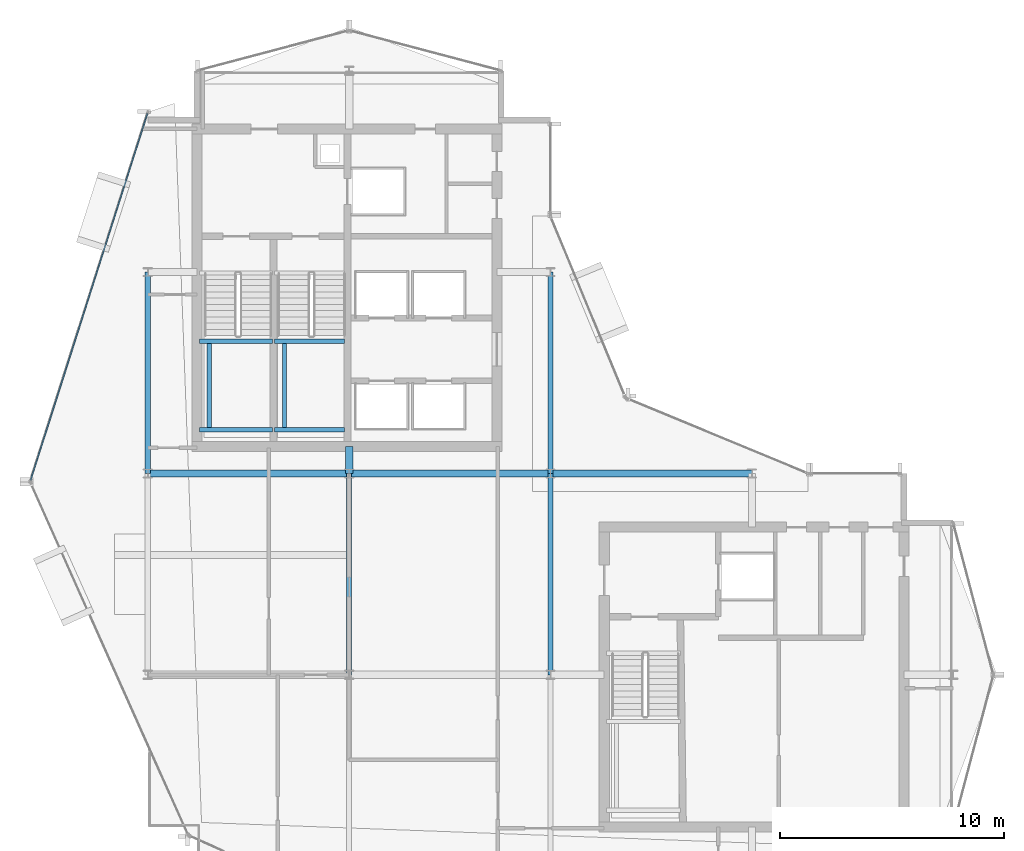
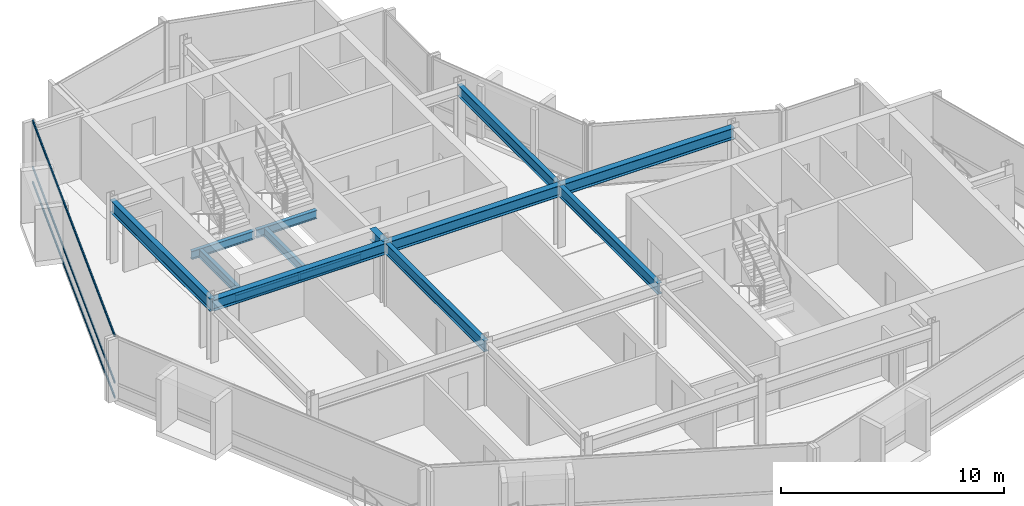
# One storey, part 7 of 19: 14 beams, 3 members, 1 element without a shape of its own.
"""IFC4 building model written with IfcOpenShell, lengths in metres."""

from ifc_helpers import new_model, si_unit, direction, frame, origin, origin_2d, place, context, subcontext, project, spatial, hollow_rectangle, i_section, extrude, material, layer, layer_set, material_profile, profile_set, type_object, element, aggregate, save


model = new_model("IFC4")

# Units and contexts
model_context = context("Model", 3, precision=1e-05, world=origin(), true_north=direction((0.0, 1.0)))
body_context = subcontext(model_context, "Body", "Model", "MODEL_VIEW")
ifc_project = project(units=[si_unit("LENGTHUNIT", "METRE"), si_unit("AREAUNIT", "SQUARE_METRE"), si_unit("VOLUMEUNIT", "CUBIC_METRE"), si_unit("PLANEANGLEUNIT", "RADIAN"), si_unit("MASSUNIT", "GRAM", prefix="KILO")], contexts=[model_context])

# Site, building, storey
site_placement = place(None, origin())
site = spatial("IfcSite", under=ifc_project, at=site_placement, CompositionType="ELEMENT")
building_placement = place(site_placement, origin())
building = spatial("IfcBuilding", under=site, at=building_placement, Name="Solvaryn Broadcast Tower", CompositionType="ELEMENT")
storey_placement = place(building_placement, frame((0.0, 0.0, 248.199951171875)))
storey = spatial("IfcBuildingStorey", under=building, at=storey_placement, Name="L62", CompositionType="ELEMENT", Elevation=248.199951171875)

# Beams
ifc_material_1 = material(Name="Steel ASTM A992 Grade 50", Category="steel")
ifc_material_profile_1 = material_profile(ifc_material_1, i_section(OverallWidth=0.323974609375, OverallDepth=0.611083984375, WebThickness=0.0126953125, FlangeThickness=0.01904296875, FilletRadius=0.014892578125, at=origin_2d()))
ifc_profile_set_1 = profile_set([ifc_material_profile_1], Name="Steel ASTM A992 Grade 50")
beam_type_1 = type_object("IfcBeamType", Name="BM-B1-W24X104", PredefinedType="BEAM", material=ifc_profile_set_1)
for number, where, z_axis, x_axis, name in (
    (1, (9.0, 27.0, 3.114501953125), (1.0, 0.0, 0.0), (0.0, 1.0, 0.0), "L62 Primary Beam X (9-18 @ Y=27)"),
    (2, (18.0, 27.0, 3.114501953125), (1.0, 0.0, 0.0), (0.0, 1.0, 0.0), "L62 Primary Beam X (18-27 @ Y=27)"),
    (3, (27.0, 27.0, 3.114501953125), (1.0, 0.0, 0.0), (0.0, 1.0, 0.0), "L62 Primary Beam X (27-36 @ Y=27)"),
):
    element("IfcBeam", number, at=place(storey_placement, frame(where, z_axis=z_axis, x_axis=x_axis)), inside=storey, type_object=beam_type_1, Name=name, PredefinedType="BEAM", context=body_context, shape_type="SweptSolid", body=[
        extrude(i_section(OverallWidth=0.323974609375, OverallDepth=0.611083984375, WebThickness=0.0126953125, FlangeThickness=0.01904296875, FilletRadius=0.014892578125, at=origin_2d()), origin(), (0.0, 0.0, 1.0), 9.0),
    ])
beam_1_placement = place(storey_placement, frame((18.0, 27.0, 3.114501953125), z_axis=(0.0, 1.0, 0.0), x_axis=(-1.0, 0.0, 0.0)))
element("IfcBeam", 4, at=beam_1_placement, inside=storey, type_object=beam_type_1, Name="L62 Core Tie Beam CTW4", PredefinedType="BEAM", context=body_context, shape_type="SweptSolid", body=[
    extrude(i_section(OverallWidth=0.323974609375, OverallDepth=0.611083984375, WebThickness=0.0126953125, FlangeThickness=0.01904296875, FilletRadius=0.014892578125, at=origin_2d()), origin(), (0.0, 0.0, 1.0), 1.199951171875),
])
ifc_material_2 = material(Name="Steel ASTM A992 Grade 50", Category="steel")
ifc_material_profile_2 = material_profile(ifc_material_2, i_section(OverallWidth=0.22802734375, OverallDepth=0.60791015625, WebThickness=0.01123046875, FlangeThickness=0.017333984375, FilletRadius=0.014892578125, at=origin_2d()))
ifc_profile_set_2 = profile_set([ifc_material_profile_2], Name="Steel ASTM A992 Grade 50")
beam_type_2 = type_object("IfcBeamType", Name="BM-B2-W24X76", PredefinedType="BEAM", material=ifc_profile_set_2)
for number, where, z_axis, x_axis, name in (
    (5, (18.0, 18.0, 3.115966796875), (0.0, 1.0, 0.0), (-1.0, 0.0, 0.0), "L62 Primary Beam Y (18-27 @ X=18)"),
    (6, (27.0, 18.0, 3.115966796875), (0.0, 1.0, 0.0), (-1.0, 0.0, 0.0), "L62 Primary Beam Y (18-27 @ X=27)"),
    (7, (27.0, 27.0, 3.115966796875), (0.0, 1.0, 0.0), (-1.0, 0.0, 0.0), "L62 Primary Beam Y (27-36 @ X=27)"),
):
    element("IfcBeam", number, at=place(storey_placement, frame(where, z_axis=z_axis, x_axis=x_axis)), inside=storey, type_object=beam_type_2, Name=name, PredefinedType="BEAM", context=body_context, shape_type="SweptSolid", body=[
        extrude(i_section(OverallWidth=0.22802734375, OverallDepth=0.60791015625, WebThickness=0.01123046875, FlangeThickness=0.017333984375, FilletRadius=0.014892578125, at=origin_2d()), origin(), (0.0, 0.0, 1.0), 9.0),
    ])
ifc_material_3 = material(Name="Steel ASTM A992 Grade 50", Category="steel")
ifc_material_profile_3 = material_profile(ifc_material_3, i_section(OverallWidth=0.18994140625, OverallDepth=0.45703125, WebThickness=0.009033203125, FlangeThickness=0.014404296875, FilletRadius=0.011962890625, at=origin_2d()))
ifc_profile_set_3 = profile_set([ifc_material_profile_3], Name="Steel ASTM A992 Grade 50")
beam_type_3 = type_object("IfcBeamType", Name="BM-B4-W18X50", PredefinedType="BEAM", material=ifc_profile_set_3)
for number, where, z_axis, x_axis, name in (
    (8, (11.300048828125, 28.949951171875, 1.421630859375), (1.0, 0.0, 0.0), (0.0, 1.0, 0.0), "L62 ST1 Landing Support Beam 1A"),
    (9, (11.300048828125, 32.909912109375, 1.421630859375), (1.0, 0.0, 0.0), (0.0, 1.0, 0.0), "L62 ST1 Landing Support Beam 1B"),
):
    element("IfcBeam", number, at=place(storey_placement, frame(where, z_axis=z_axis, x_axis=x_axis)), inside=storey, type_object=beam_type_3, Name=name, PredefinedType="BEAM", context=body_context, shape_type="SweptSolid", body=[
        extrude(i_section(OverallWidth=0.18994140625, OverallDepth=0.45703125, WebThickness=0.009033203125, FlangeThickness=0.014404296875, FilletRadius=0.011962890625, at=origin_2d()), origin(), (0.0, 0.0, 1.0), 3.280029296875),
    ])
beam_2_placement = place(storey_placement, frame((11.75, 28.949951171875, 1.421630859375), z_axis=(0.0, 1.0, 0.0), x_axis=(-1.0, 0.0, 0.0)))
element("IfcBeam", 10, at=beam_2_placement, inside=storey, type_object=beam_type_3, Name="L62 ST1 Landing Cross Stringer 1C", PredefinedType="BEAM", context=body_context, shape_type="SweptSolid", body=[
    extrude(i_section(OverallWidth=0.18994140625, OverallDepth=0.45703125, WebThickness=0.009033203125, FlangeThickness=0.014404296875, FilletRadius=0.011962890625, at=origin_2d()), origin(), (0.0, 0.0, 1.0), 3.9599609375),
])
for number, where, z_axis, x_axis, name in (
    (11, (14.659912109375, 28.949951171875, 1.421630859375), (1.0, 0.0, 0.0), (0.0, 1.0, 0.0), "L62 ST2 Landing Support Beam 1A"),
    (12, (14.659912109375, 32.909912109375, 1.421630859375), (1.0, 0.0, 0.0), (0.0, 1.0, 0.0), "L62 ST2 Landing Support Beam 1B"),
):
    element("IfcBeam", number, at=place(storey_placement, frame(where, z_axis=z_axis, x_axis=x_axis)), inside=storey, type_object=beam_type_3, Name=name, PredefinedType="BEAM", context=body_context, shape_type="SweptSolid", body=[
        extrude(i_section(OverallWidth=0.18994140625, OverallDepth=0.45703125, WebThickness=0.009033203125, FlangeThickness=0.014404296875, FilletRadius=0.011962890625, at=origin_2d()), origin(), (0.0, 0.0, 1.0), 3.14013671875),
    ])
beam_3_placement = place(storey_placement, frame((15.110107421875, 28.949951171875, 1.421630859375), z_axis=(0.0, 1.0, 0.0), x_axis=(-1.0, 0.0, 0.0)))
element("IfcBeam", 13, at=beam_3_placement, inside=storey, type_object=beam_type_3, Name="L62 ST2 Landing Cross Stringer 1C", PredefinedType="BEAM", context=body_context, shape_type="SweptSolid", body=[
    extrude(i_section(OverallWidth=0.18994140625, OverallDepth=0.45703125, WebThickness=0.009033203125, FlangeThickness=0.014404296875, FilletRadius=0.011962890625, at=origin_2d()), origin(), (0.0, 0.0, 1.0), 3.9599609375),
])
ifc_material_4 = material(Name="Steel ASTM A992 Grade 50", Category="steel")
ifc_material_profile_4 = material_profile(ifc_material_4, i_section(OverallWidth=0.256103515625, OverallDepth=0.693115234375, WebThickness=0.014404296875, FlangeThickness=0.023681640625, FilletRadius=0.01611328125, at=origin_2d()))
ifc_profile_set_4 = profile_set([ifc_material_profile_4], Name="Steel ASTM A992 Grade 50")
beam_type_4 = type_object("IfcBeamType", Name="BM-SP3-W27X114", PredefinedType="USERDEFINED", material=ifc_profile_set_4)
beam_4_placement = place(storey_placement, frame((9.0, 27.0, 3.073486328125), z_axis=(0.0, 1.0, 0.0), x_axis=(-1.0, 0.0, 0.0)))
element("IfcBeam", 14, at=beam_4_placement, inside=storey, type_object=beam_type_4, Name="L62 Spandrel Beam Y (27-36 @ X=9)", ObjectType="SPANDREL", PredefinedType="USERDEFINED", context=body_context, shape_type="SweptSolid", body=[
    extrude(i_section(OverallWidth=0.256103515625, OverallDepth=0.693115234375, WebThickness=0.014404296875, FlangeThickness=0.023681640625, FilletRadius=0.01611328125, at=origin_2d()), origin(), (0.0, 0.0, 1.0), 9.0),
])

# Curtain wall, members
ifc_material_5 = material(Name="Aluminium and Terracotta Unitised Curtain Wall", Category="masonry")
ifc_layer = layer(ifc_material_5, 0.199951171875)
ifc_layer_set = layer_set([ifc_layer], Name="CW-SYS2-LOWMID")
curtain_wall_type = type_object("IfcCurtainWallType", Name="CW-SYS2-LOWMID", PredefinedType="NOTDEFINED", material=ifc_layer_set)
curtain_wall_placement = place(storey_placement, origin())
curtain_wall = element("IfcCurtainWall", 15, at=curtain_wall_placement, inside=storey, type_object=curtain_wall_type, Name="L62 Curtain Wall DR1", PredefinedType="NOTDEFINED")
ifc_material_6 = material(Name="Anodised Aluminium 6063-T6", Category="aluminium")
ifc_material_profile_5 = material_profile(ifc_material_6, hollow_rectangle(XDim=0.06494140625, YDim=0.14990234375, WallThickness=0.00390625, InnerFilletRadius=0.00390625, OuterFilletRadius=0.008056640625, at=origin_2d()))
ifc_profile_set_5 = profile_set([ifc_material_profile_5], Name="Anodised Aluminium 6063-T6")
member_type = type_object("IfcMemberType", Name="CW-TRN-150", PredefinedType="USERDEFINED", material=ifc_profile_set_5)
member_1_placement = place(storey_placement, frame((8.981689453125, 43.091796875, 0.030029296875), z_axis=(-0.303616405252, -0.952794352661, 0.0), x_axis=(0.952794352661, -0.303616405252, 0.0)))
member_1 = element("IfcMember", 16, at=member_1_placement, type_object=member_type, Name="CWS2 transom 1.1", ObjectType="TRANSOM", PredefinedType="USERDEFINED", context=body_context, shape_type="SweptSolid", body=[
    extrude(hollow_rectangle(XDim=0.06494140625, YDim=0.14990234375, WallThickness=0.00390625, InnerFilletRadius=0.00390625, OuterFilletRadius=0.008056640625, at=origin_2d()), origin(), (0.0, 0.0, 1.0), 17.211181640625),
])
member_2_placement = place(storey_placement, frame((8.981689453125, 43.091796875, 0.85009765625), z_axis=(-0.303616405252, -0.952794352661, 0.0), x_axis=(0.952794352661, -0.303616405252, 0.0)))
member_2 = element("IfcMember", 17, at=member_2_placement, type_object=member_type, Name="CWS2 transom 1.2", ObjectType="TRANSOM", PredefinedType="USERDEFINED", context=body_context, shape_type="SweptSolid", body=[
    extrude(hollow_rectangle(XDim=0.06494140625, YDim=0.14990234375, WallThickness=0.00390625, InnerFilletRadius=0.00390625, OuterFilletRadius=0.008056640625, at=origin_2d()), origin(), (0.0, 0.0, 1.0), 17.211181640625),
])
member_3_placement = place(storey_placement, frame((8.981689453125, 43.091796875, 3.39013671875), z_axis=(-0.303616405252, -0.952794352661, 0.0), x_axis=(0.952794352661, -0.303616405252, 0.0)))
member_3 = element("IfcMember", 18, at=member_3_placement, type_object=member_type, Name="CWS2 transom 1.3", ObjectType="TRANSOM", PredefinedType="USERDEFINED", context=body_context, shape_type="SweptSolid", body=[
    extrude(hollow_rectangle(XDim=0.06494140625, YDim=0.14990234375, WallThickness=0.00390625, InnerFilletRadius=0.00390625, OuterFilletRadius=0.008056640625, at=origin_2d()), origin(), (0.0, 0.0, 1.0), 17.211181640625),
])
aggregate(curtain_wall, [member_1, member_2, member_3])

save(model, "model.ifc")
